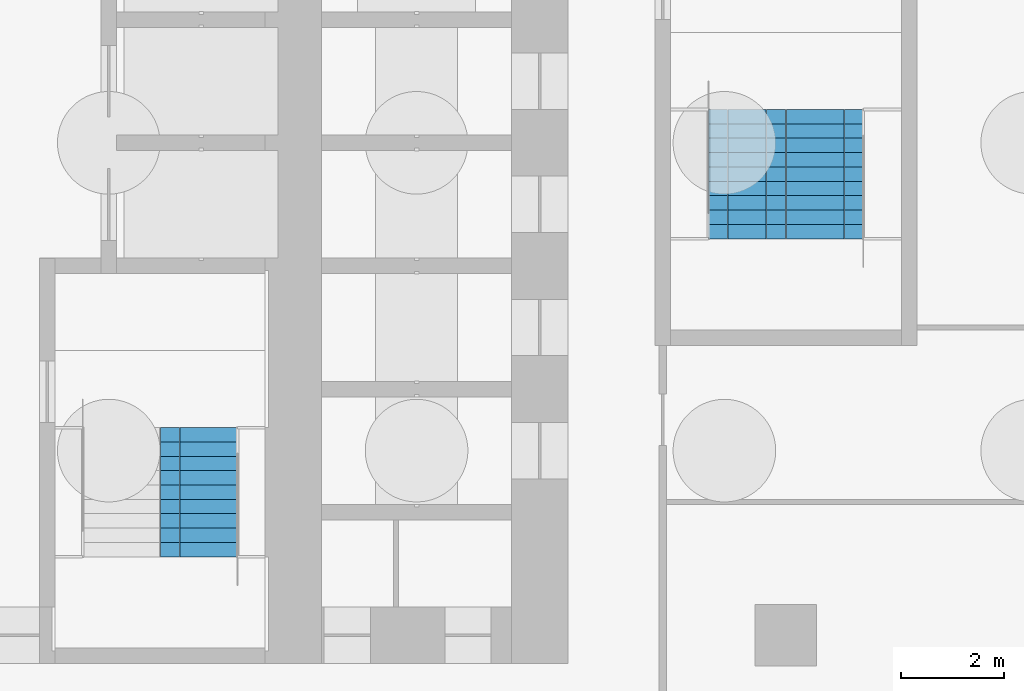
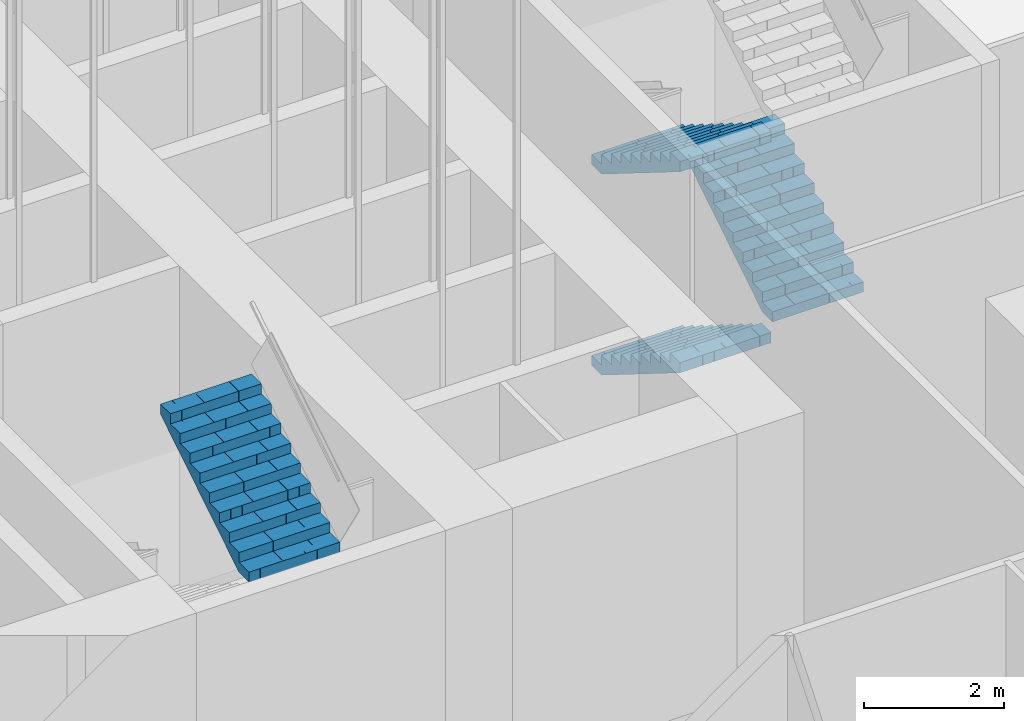
# One storey, part 25 of 68: 4 stair flights, 2 elements without a shape of their own.
"""IFC4 building model written with IfcOpenShell, lengths in metres."""

from ifc_helpers import new_model, si_unit, direction, frame, origin, place, context, subcontext, project, spatial, polyline, outline, extrude, material, type_object, element, aggregate, save


model = new_model("IFC4")

# Units and contexts
model_context = context("Model", 3, precision=1e-05, world=origin(), true_north=direction((0.0, 1.0)))
body_context = subcontext(model_context, "Body", "Model", "MODEL_VIEW")
ifc_project = project(units=[si_unit("LENGTHUNIT", "METRE"), si_unit("AREAUNIT", "SQUARE_METRE"), si_unit("VOLUMEUNIT", "CUBIC_METRE"), si_unit("PLANEANGLEUNIT", "RADIAN"), si_unit("MASSUNIT", "GRAM", prefix="KILO")], contexts=[model_context])

# Site, building, storey
site_placement = place(None, origin())
site = spatial("IfcSite", under=ifc_project, at=site_placement, CompositionType="ELEMENT")
building_placement = place(site_placement, origin())
building = spatial("IfcBuilding", under=site, at=building_placement, Name="Kolab Exchange Tower", CompositionType="ELEMENT")
storey_placement = place(building_placement, origin())
storey = spatial("IfcBuildingStorey", under=building, at=storey_placement, Name="L00", CompositionType="ELEMENT", Elevation=0.0)

# Stair, stair flight
ifc_material = material(Name="Concrete C50/60", Category="concrete")
stair_type_1 = type_object("IfcStairType", Name="STAIR ST2 RISER 175", PredefinedType="DOUBLE_RETURN_STAIR", material=ifc_material)
stair_1_placement = place(storey_placement, origin())
stair_1 = element("IfcStair", 1, at=stair_1_placement, inside=storey, type_object=stair_type_1, Name="Stair 2", PredefinedType="DOUBLE_RETURN_STAIR")
stair_flight_type = type_object("IfcStairFlightType", Name="STAIR FLIGHT 1500 RISER 175", PredefinedType="STRAIGHT", material=ifc_material)
stair_flight_1_placement = place(storey_placement, frame((7.760009765625, -8.070068359375, 5.25), z_axis=(0.0, 0.0, 1.0), x_axis=(0.0, 1.0, 0.0)))
stair_flight_1 = element("IfcStairFlight", 2, at=stair_flight_1_placement, type_object=stair_flight_type, Name="ST2 flight 4", NumberOfRisers=10, NumberOfTreads=9, PredefinedType="STRAIGHT", RiserHeight=0.175, TreadLength=0.28, context=body_context, shape_type="SweptSolid", body=[
    extrude(outline(polyline([(0.0, 0.0), (0.0, 0.175048828125), (0.280029296875, 0.175048828125), (0.280029296875, 0.35009765625), (0.56005859375, 0.35009765625), (0.56005859375, 0.52490234375), (0.840087890625, 0.52490234375), (0.840087890625, 0.699951171875), (1.1201171875, 0.699951171875), (1.1201171875, 0.875), (1.39990234375, 0.875), (1.39990234375, 1.050048828125), (1.679931640625, 1.050048828125), (1.679931640625, 1.22509765625), (1.9599609375, 1.22509765625), (1.9599609375, 1.39990234375), (2.239990234375, 1.39990234375), (2.239990234375, 1.574951171875), (2.52001953125, 1.574951171875), (2.52001953125, 1.75), (2.52001953125, 1.398193359375), (0.28271484375, 0.0), (0.0, 0.0)])), frame((0.0, 0.75, 0.0), z_axis=(0.0, -1.0, 0.0), x_axis=(1.0, 0.0, 0.0)), (0.0, 0.0, 1.0), 0.185791015625),
    extrude(outline(polyline([(0.0, 0.0), (0.0, 0.175048828125), (0.280029296875, 0.175048828125), (0.280029296875, 0.35009765625), (0.56005859375, 0.35009765625), (0.56005859375, 0.52490234375), (0.840087890625, 0.52490234375), (0.840087890625, 0.699951171875), (1.1201171875, 0.699951171875), (1.1201171875, 0.875), (1.39990234375, 0.875), (1.39990234375, 1.050048828125), (1.679931640625, 1.050048828125), (1.679931640625, 1.22509765625), (1.9599609375, 1.22509765625), (1.9599609375, 1.39990234375), (2.239990234375, 1.39990234375), (2.239990234375, 1.574951171875), (2.52001953125, 1.574951171875), (2.52001953125, 1.75), (2.52001953125, 1.398193359375), (0.28271484375, 0.0), (0.0, 0.0)])), frame((0.0, 0.562255859375, 0.0), z_axis=(0.0, -1.0, 0.0), x_axis=(1.0, 0.0, 0.0)), (0.0, 0.0, 1.0), 0.185791015625),
    extrude(outline(polyline([(0.0, 0.0), (0.0, 0.175048828125), (0.280029296875, 0.175048828125), (0.280029296875, 0.35009765625), (0.56005859375, 0.35009765625), (0.56005859375, 0.52490234375), (0.840087890625, 0.52490234375), (0.840087890625, 0.699951171875), (1.1201171875, 0.699951171875), (1.1201171875, 0.875), (1.39990234375, 0.875), (1.39990234375, 1.050048828125), (1.679931640625, 1.050048828125), (1.679931640625, 1.22509765625), (1.9599609375, 1.22509765625), (1.9599609375, 1.39990234375), (2.239990234375, 1.39990234375), (2.239990234375, 1.574951171875), (2.52001953125, 1.574951171875), (2.52001953125, 1.75), (2.52001953125, 1.398193359375), (0.28271484375, 0.0), (0.0, 0.0)])), frame((0.0, 0.37451171875, 0.0), z_axis=(0.0, -1.0, 0.0), x_axis=(1.0, 0.0, 0.0)), (0.0, 0.0, 1.0), 0.185791015625),
    extrude(outline(polyline([(0.0, 0.0), (0.0, 0.175048828125), (0.280029296875, 0.175048828125), (0.280029296875, 0.35009765625), (0.56005859375, 0.35009765625), (0.56005859375, 0.52490234375), (0.840087890625, 0.52490234375), (0.840087890625, 0.699951171875), (1.1201171875, 0.699951171875), (1.1201171875, 0.875), (1.39990234375, 0.875), (1.39990234375, 1.050048828125), (1.679931640625, 1.050048828125), (1.679931640625, 1.22509765625), (1.9599609375, 1.22509765625), (1.9599609375, 1.39990234375), (2.239990234375, 1.39990234375), (2.239990234375, 1.574951171875), (2.52001953125, 1.574951171875), (2.52001953125, 1.75), (2.52001953125, 1.398193359375), (0.28271484375, 0.0), (0.0, 0.0)])), frame((0.0, 0.186767578125, 0.0), z_axis=(0.0, -1.0, 0.0), x_axis=(1.0, 0.0, 0.0)), (0.0, 0.0, 1.0), 0.185791015625),
    extrude(outline(polyline([(0.0, 0.0), (0.0, 0.175048828125), (0.280029296875, 0.175048828125), (0.280029296875, 0.35009765625), (0.56005859375, 0.35009765625), (0.56005859375, 0.52490234375), (0.840087890625, 0.52490234375), (0.840087890625, 0.699951171875), (1.1201171875, 0.699951171875), (1.1201171875, 0.875), (1.39990234375, 0.875), (1.39990234375, 1.050048828125), (1.679931640625, 1.050048828125), (1.679931640625, 1.22509765625), (1.9599609375, 1.22509765625), (1.9599609375, 1.39990234375), (2.239990234375, 1.39990234375), (2.239990234375, 1.574951171875), (2.52001953125, 1.574951171875), (2.52001953125, 1.75), (2.52001953125, 1.398193359375), (0.28271484375, 0.0), (0.0, 0.0)])), frame((0.0, -0.0009765625, 0.0), z_axis=(0.0, -1.0, 0.0), x_axis=(1.0, 0.0, 0.0)), (0.0, 0.0, 1.0), 0.185791015625),
    extrude(outline(polyline([(0.0, 0.0), (0.0, 0.175048828125), (0.280029296875, 0.175048828125), (0.280029296875, 0.35009765625), (0.56005859375, 0.35009765625), (0.56005859375, 0.52490234375), (0.840087890625, 0.52490234375), (0.840087890625, 0.699951171875), (1.1201171875, 0.699951171875), (1.1201171875, 0.875), (1.39990234375, 0.875), (1.39990234375, 1.050048828125), (1.679931640625, 1.050048828125), (1.679931640625, 1.22509765625), (1.9599609375, 1.22509765625), (1.9599609375, 1.39990234375), (2.239990234375, 1.39990234375), (2.239990234375, 1.574951171875), (2.52001953125, 1.574951171875), (2.52001953125, 1.75), (2.52001953125, 1.398193359375), (0.28271484375, 0.0), (0.0, 0.0)])), frame((0.0, -0.188720703125, 0.0), z_axis=(0.0, -1.0, 0.0), x_axis=(1.0, 0.0, 0.0)), (0.0, 0.0, 1.0), 0.185791015625),
    extrude(outline(polyline([(0.0, 0.0), (0.0, 0.175048828125), (0.280029296875, 0.175048828125), (0.280029296875, 0.35009765625), (0.56005859375, 0.35009765625), (0.56005859375, 0.52490234375), (0.840087890625, 0.52490234375), (0.840087890625, 0.699951171875), (1.1201171875, 0.699951171875), (1.1201171875, 0.875), (1.39990234375, 0.875), (1.39990234375, 1.050048828125), (1.679931640625, 1.050048828125), (1.679931640625, 1.22509765625), (1.9599609375, 1.22509765625), (1.9599609375, 1.39990234375), (2.239990234375, 1.39990234375), (2.239990234375, 1.574951171875), (2.52001953125, 1.574951171875), (2.52001953125, 1.75), (2.52001953125, 1.398193359375), (0.28271484375, 0.0), (0.0, 0.0)])), frame((0.0, -0.37646484375, 0.0), z_axis=(0.0, -1.0, 0.0), x_axis=(1.0, 0.0, 0.0)), (0.0, 0.0, 1.0), 0.185791015625),
    extrude(outline(polyline([(0.0, 0.0), (0.0, 0.175048828125), (0.280029296875, 0.175048828125), (0.280029296875, 0.35009765625), (0.56005859375, 0.35009765625), (0.56005859375, 0.52490234375), (0.840087890625, 0.52490234375), (0.840087890625, 0.699951171875), (1.1201171875, 0.699951171875), (1.1201171875, 0.875), (1.39990234375, 0.875), (1.39990234375, 1.050048828125), (1.679931640625, 1.050048828125), (1.679931640625, 1.22509765625), (1.9599609375, 1.22509765625), (1.9599609375, 1.39990234375), (2.239990234375, 1.39990234375), (2.239990234375, 1.574951171875), (2.52001953125, 1.574951171875), (2.52001953125, 1.75), (2.52001953125, 1.398193359375), (0.28271484375, 0.0), (0.0, 0.0)])), frame((0.0, -0.564208984375, 0.0), z_axis=(0.0, -1.0, 0.0), x_axis=(1.0, 0.0, 0.0)), (0.0, 0.0, 1.0), 0.185791015625),
])
aggregate(stair_1, [stair_flight_1])

# Stair, stair flights
stair_type_2 = type_object("IfcStairType", Name="STAIR ST4 RISER 175", PredefinedType="DOUBLE_RETURN_STAIR", material=ifc_material)
stair_2_placement = place(storey_placement, origin())
stair_2 = element("IfcStair", 3, at=stair_2_placement, inside=storey, type_object=stair_type_2, Name="Stair 4", PredefinedType="DOUBLE_RETURN_STAIR")
stair_flight_2_placement = place(storey_placement, frame((18.43994140625, 0.64990234375, 0.0), z_axis=(0.0, 0.0, 1.0), x_axis=(0.0, -1.0, 0.0)))
stair_flight_2 = element("IfcStairFlight", 4, at=stair_flight_2_placement, type_object=stair_flight_type, Name="ST4 flight 1", NumberOfRisers=10, NumberOfTreads=9, PredefinedType="STRAIGHT", RiserHeight=0.175, TreadLength=0.28, context=body_context, shape_type="SweptSolid", body=[
    extrude(outline(polyline([(0.0, 0.0), (0.0, 0.175048828125), (0.280029296875, 0.175048828125), (0.280029296875, 0.35009765625), (0.56005859375, 0.35009765625), (0.56005859375, 0.52490234375), (0.840087890625, 0.52490234375), (0.840087890625, 0.699951171875), (1.1201171875, 0.699951171875), (1.1201171875, 0.875), (1.39990234375, 0.875), (1.39990234375, 1.050048828125), (1.679931640625, 1.050048828125), (1.679931640625, 1.22509765625), (1.9599609375, 1.22509765625), (1.9599609375, 1.39990234375), (2.239990234375, 1.39990234375), (2.239990234375, 1.574951171875), (2.52001953125, 1.574951171875), (2.52001953125, 1.75), (2.52001953125, 1.398193359375), (0.28271484375, 0.0), (0.0, 0.0)])), frame((0.0, 0.75, 0.0), z_axis=(0.0, -1.0, 0.0), x_axis=(1.0, 0.0, 0.0)), (0.0, 0.0, 1.0), 0.185791015625),
    extrude(outline(polyline([(0.0, 0.0), (0.0, 0.175048828125), (0.280029296875, 0.175048828125), (0.280029296875, 0.35009765625), (0.56005859375, 0.35009765625), (0.56005859375, 0.52490234375), (0.840087890625, 0.52490234375), (0.840087890625, 0.699951171875), (1.1201171875, 0.699951171875), (1.1201171875, 0.875), (1.39990234375, 0.875), (1.39990234375, 1.050048828125), (1.679931640625, 1.050048828125), (1.679931640625, 1.22509765625), (1.9599609375, 1.22509765625), (1.9599609375, 1.39990234375), (2.239990234375, 1.39990234375), (2.239990234375, 1.574951171875), (2.52001953125, 1.574951171875), (2.52001953125, 1.75), (2.52001953125, 1.398193359375), (0.28271484375, 0.0), (0.0, 0.0)])), frame((0.0, 0.562255859375, 0.0), z_axis=(0.0, -1.0, 0.0), x_axis=(1.0, 0.0, 0.0)), (0.0, 0.0, 1.0), 0.185791015625),
    extrude(outline(polyline([(0.0, 0.0), (0.0, 0.175048828125), (0.280029296875, 0.175048828125), (0.280029296875, 0.35009765625), (0.56005859375, 0.35009765625), (0.56005859375, 0.52490234375), (0.840087890625, 0.52490234375), (0.840087890625, 0.699951171875), (1.1201171875, 0.699951171875), (1.1201171875, 0.875), (1.39990234375, 0.875), (1.39990234375, 1.050048828125), (1.679931640625, 1.050048828125), (1.679931640625, 1.22509765625), (1.9599609375, 1.22509765625), (1.9599609375, 1.39990234375), (2.239990234375, 1.39990234375), (2.239990234375, 1.574951171875), (2.52001953125, 1.574951171875), (2.52001953125, 1.75), (2.52001953125, 1.398193359375), (0.28271484375, 0.0), (0.0, 0.0)])), frame((0.0, 0.37451171875, 0.0), z_axis=(0.0, -1.0, 0.0), x_axis=(1.0, 0.0, 0.0)), (0.0, 0.0, 1.0), 0.185791015625),
    extrude(outline(polyline([(0.0, 0.0), (0.0, 0.175048828125), (0.280029296875, 0.175048828125), (0.280029296875, 0.35009765625), (0.56005859375, 0.35009765625), (0.56005859375, 0.52490234375), (0.840087890625, 0.52490234375), (0.840087890625, 0.699951171875), (1.1201171875, 0.699951171875), (1.1201171875, 0.875), (1.39990234375, 0.875), (1.39990234375, 1.050048828125), (1.679931640625, 1.050048828125), (1.679931640625, 1.22509765625), (1.9599609375, 1.22509765625), (1.9599609375, 1.39990234375), (2.239990234375, 1.39990234375), (2.239990234375, 1.574951171875), (2.52001953125, 1.574951171875), (2.52001953125, 1.75), (2.52001953125, 1.398193359375), (0.28271484375, 0.0), (0.0, 0.0)])), frame((0.0, 0.186767578125, 0.0), z_axis=(0.0, -1.0, 0.0), x_axis=(1.0, 0.0, 0.0)), (0.0, 0.0, 1.0), 0.185791015625),
    extrude(outline(polyline([(0.0, 0.0), (0.0, 0.175048828125), (0.280029296875, 0.175048828125), (0.280029296875, 0.35009765625), (0.56005859375, 0.35009765625), (0.56005859375, 0.52490234375), (0.840087890625, 0.52490234375), (0.840087890625, 0.699951171875), (1.1201171875, 0.699951171875), (1.1201171875, 0.875), (1.39990234375, 0.875), (1.39990234375, 1.050048828125), (1.679931640625, 1.050048828125), (1.679931640625, 1.22509765625), (1.9599609375, 1.22509765625), (1.9599609375, 1.39990234375), (2.239990234375, 1.39990234375), (2.239990234375, 1.574951171875), (2.52001953125, 1.574951171875), (2.52001953125, 1.75), (2.52001953125, 1.398193359375), (0.28271484375, 0.0), (0.0, 0.0)])), frame((0.0, -0.0009765625, 0.0), z_axis=(0.0, -1.0, 0.0), x_axis=(1.0, 0.0, 0.0)), (0.0, 0.0, 1.0), 0.185791015625),
    extrude(outline(polyline([(0.0, 0.0), (0.0, 0.175048828125), (0.280029296875, 0.175048828125), (0.280029296875, 0.35009765625), (0.56005859375, 0.35009765625), (0.56005859375, 0.52490234375), (0.840087890625, 0.52490234375), (0.840087890625, 0.699951171875), (1.1201171875, 0.699951171875), (1.1201171875, 0.875), (1.39990234375, 0.875), (1.39990234375, 1.050048828125), (1.679931640625, 1.050048828125), (1.679931640625, 1.22509765625), (1.9599609375, 1.22509765625), (1.9599609375, 1.39990234375), (2.239990234375, 1.39990234375), (2.239990234375, 1.574951171875), (2.52001953125, 1.574951171875), (2.52001953125, 1.75), (2.52001953125, 1.398193359375), (0.28271484375, 0.0), (0.0, 0.0)])), frame((0.0, -0.188720703125, 0.0), z_axis=(0.0, -1.0, 0.0), x_axis=(1.0, 0.0, 0.0)), (0.0, 0.0, 1.0), 0.185791015625),
    extrude(outline(polyline([(0.0, 0.0), (0.0, 0.175048828125), (0.280029296875, 0.175048828125), (0.280029296875, 0.35009765625), (0.56005859375, 0.35009765625), (0.56005859375, 0.52490234375), (0.840087890625, 0.52490234375), (0.840087890625, 0.699951171875), (1.1201171875, 0.699951171875), (1.1201171875, 0.875), (1.39990234375, 0.875), (1.39990234375, 1.050048828125), (1.679931640625, 1.050048828125), (1.679931640625, 1.22509765625), (1.9599609375, 1.22509765625), (1.9599609375, 1.39990234375), (2.239990234375, 1.39990234375), (2.239990234375, 1.574951171875), (2.52001953125, 1.574951171875), (2.52001953125, 1.75), (2.52001953125, 1.398193359375), (0.28271484375, 0.0), (0.0, 0.0)])), frame((0.0, -0.37646484375, 0.0), z_axis=(0.0, -1.0, 0.0), x_axis=(1.0, 0.0, 0.0)), (0.0, 0.0, 1.0), 0.185791015625),
    extrude(outline(polyline([(0.0, 0.0), (0.0, 0.175048828125), (0.280029296875, 0.175048828125), (0.280029296875, 0.35009765625), (0.56005859375, 0.35009765625), (0.56005859375, 0.52490234375), (0.840087890625, 0.52490234375), (0.840087890625, 0.699951171875), (1.1201171875, 0.699951171875), (1.1201171875, 0.875), (1.39990234375, 0.875), (1.39990234375, 1.050048828125), (1.679931640625, 1.050048828125), (1.679931640625, 1.22509765625), (1.9599609375, 1.22509765625), (1.9599609375, 1.39990234375), (2.239990234375, 1.39990234375), (2.239990234375, 1.574951171875), (2.52001953125, 1.574951171875), (2.52001953125, 1.75), (2.52001953125, 1.398193359375), (0.28271484375, 0.0), (0.0, 0.0)])), frame((0.0, -0.564208984375, 0.0), z_axis=(0.0, -1.0, 0.0), x_axis=(1.0, 0.0, 0.0)), (0.0, 0.0, 1.0), 0.185791015625),
])
stair_flight_3_placement = place(storey_placement, frame((19.9599609375, -1.8701171875, 1.75), z_axis=(0.0, 0.0, 1.0), x_axis=(0.0, 1.0, 0.0)))
stair_flight_3 = element("IfcStairFlight", 5, at=stair_flight_3_placement, type_object=stair_flight_type, Name="ST4 flight 2", NumberOfRisers=10, NumberOfTreads=9, PredefinedType="STRAIGHT", RiserHeight=0.175, TreadLength=0.28, context=body_context, shape_type="SweptSolid", body=[
    extrude(outline(polyline([(0.0, 0.0), (0.0, 0.175048828125), (0.280029296875, 0.175048828125), (0.280029296875, 0.35009765625), (0.56005859375, 0.35009765625), (0.56005859375, 0.52490234375), (0.840087890625, 0.52490234375), (0.840087890625, 0.699951171875), (1.1201171875, 0.699951171875), (1.1201171875, 0.875), (1.39990234375, 0.875), (1.39990234375, 1.050048828125), (1.679931640625, 1.050048828125), (1.679931640625, 1.22509765625), (1.9599609375, 1.22509765625), (1.9599609375, 1.39990234375), (2.239990234375, 1.39990234375), (2.239990234375, 1.574951171875), (2.52001953125, 1.574951171875), (2.52001953125, 1.75), (2.52001953125, 1.398193359375), (0.28271484375, 0.0), (0.0, 0.0)])), frame((0.0, 0.75, 0.0), z_axis=(0.0, -1.0, 0.0), x_axis=(1.0, 0.0, 0.0)), (0.0, 0.0, 1.0), 0.185791015625),
    extrude(outline(polyline([(0.0, 0.0), (0.0, 0.175048828125), (0.280029296875, 0.175048828125), (0.280029296875, 0.35009765625), (0.56005859375, 0.35009765625), (0.56005859375, 0.52490234375), (0.840087890625, 0.52490234375), (0.840087890625, 0.699951171875), (1.1201171875, 0.699951171875), (1.1201171875, 0.875), (1.39990234375, 0.875), (1.39990234375, 1.050048828125), (1.679931640625, 1.050048828125), (1.679931640625, 1.22509765625), (1.9599609375, 1.22509765625), (1.9599609375, 1.39990234375), (2.239990234375, 1.39990234375), (2.239990234375, 1.574951171875), (2.52001953125, 1.574951171875), (2.52001953125, 1.75), (2.52001953125, 1.398193359375), (0.28271484375, 0.0), (0.0, 0.0)])), frame((0.0, 0.562255859375, 0.0), z_axis=(0.0, -1.0, 0.0), x_axis=(1.0, 0.0, 0.0)), (0.0, 0.0, 1.0), 0.185791015625),
    extrude(outline(polyline([(0.0, 0.0), (0.0, 0.175048828125), (0.280029296875, 0.175048828125), (0.280029296875, 0.35009765625), (0.56005859375, 0.35009765625), (0.56005859375, 0.52490234375), (0.840087890625, 0.52490234375), (0.840087890625, 0.699951171875), (1.1201171875, 0.699951171875), (1.1201171875, 0.875), (1.39990234375, 0.875), (1.39990234375, 1.050048828125), (1.679931640625, 1.050048828125), (1.679931640625, 1.22509765625), (1.9599609375, 1.22509765625), (1.9599609375, 1.39990234375), (2.239990234375, 1.39990234375), (2.239990234375, 1.574951171875), (2.52001953125, 1.574951171875), (2.52001953125, 1.75), (2.52001953125, 1.398193359375), (0.28271484375, 0.0), (0.0, 0.0)])), frame((0.0, 0.37451171875, 0.0), z_axis=(0.0, -1.0, 0.0), x_axis=(1.0, 0.0, 0.0)), (0.0, 0.0, 1.0), 0.185791015625),
    extrude(outline(polyline([(0.0, 0.0), (0.0, 0.175048828125), (0.280029296875, 0.175048828125), (0.280029296875, 0.35009765625), (0.56005859375, 0.35009765625), (0.56005859375, 0.52490234375), (0.840087890625, 0.52490234375), (0.840087890625, 0.699951171875), (1.1201171875, 0.699951171875), (1.1201171875, 0.875), (1.39990234375, 0.875), (1.39990234375, 1.050048828125), (1.679931640625, 1.050048828125), (1.679931640625, 1.22509765625), (1.9599609375, 1.22509765625), (1.9599609375, 1.39990234375), (2.239990234375, 1.39990234375), (2.239990234375, 1.574951171875), (2.52001953125, 1.574951171875), (2.52001953125, 1.75), (2.52001953125, 1.398193359375), (0.28271484375, 0.0), (0.0, 0.0)])), frame((0.0, 0.186767578125, 0.0), z_axis=(0.0, -1.0, 0.0), x_axis=(1.0, 0.0, 0.0)), (0.0, 0.0, 1.0), 0.185791015625),
    extrude(outline(polyline([(0.0, 0.0), (0.0, 0.175048828125), (0.280029296875, 0.175048828125), (0.280029296875, 0.35009765625), (0.56005859375, 0.35009765625), (0.56005859375, 0.52490234375), (0.840087890625, 0.52490234375), (0.840087890625, 0.699951171875), (1.1201171875, 0.699951171875), (1.1201171875, 0.875), (1.39990234375, 0.875), (1.39990234375, 1.050048828125), (1.679931640625, 1.050048828125), (1.679931640625, 1.22509765625), (1.9599609375, 1.22509765625), (1.9599609375, 1.39990234375), (2.239990234375, 1.39990234375), (2.239990234375, 1.574951171875), (2.52001953125, 1.574951171875), (2.52001953125, 1.75), (2.52001953125, 1.398193359375), (0.28271484375, 0.0), (0.0, 0.0)])), frame((0.0, -0.0009765625, 0.0), z_axis=(0.0, -1.0, 0.0), x_axis=(1.0, 0.0, 0.0)), (0.0, 0.0, 1.0), 0.185791015625),
    extrude(outline(polyline([(0.0, 0.0), (0.0, 0.175048828125), (0.280029296875, 0.175048828125), (0.280029296875, 0.35009765625), (0.56005859375, 0.35009765625), (0.56005859375, 0.52490234375), (0.840087890625, 0.52490234375), (0.840087890625, 0.699951171875), (1.1201171875, 0.699951171875), (1.1201171875, 0.875), (1.39990234375, 0.875), (1.39990234375, 1.050048828125), (1.679931640625, 1.050048828125), (1.679931640625, 1.22509765625), (1.9599609375, 1.22509765625), (1.9599609375, 1.39990234375), (2.239990234375, 1.39990234375), (2.239990234375, 1.574951171875), (2.52001953125, 1.574951171875), (2.52001953125, 1.75), (2.52001953125, 1.398193359375), (0.28271484375, 0.0), (0.0, 0.0)])), frame((0.0, -0.188720703125, 0.0), z_axis=(0.0, -1.0, 0.0), x_axis=(1.0, 0.0, 0.0)), (0.0, 0.0, 1.0), 0.185791015625),
    extrude(outline(polyline([(0.0, 0.0), (0.0, 0.175048828125), (0.280029296875, 0.175048828125), (0.280029296875, 0.35009765625), (0.56005859375, 0.35009765625), (0.56005859375, 0.52490234375), (0.840087890625, 0.52490234375), (0.840087890625, 0.699951171875), (1.1201171875, 0.699951171875), (1.1201171875, 0.875), (1.39990234375, 0.875), (1.39990234375, 1.050048828125), (1.679931640625, 1.050048828125), (1.679931640625, 1.22509765625), (1.9599609375, 1.22509765625), (1.9599609375, 1.39990234375), (2.239990234375, 1.39990234375), (2.239990234375, 1.574951171875), (2.52001953125, 1.574951171875), (2.52001953125, 1.75), (2.52001953125, 1.398193359375), (0.28271484375, 0.0), (0.0, 0.0)])), frame((0.0, -0.37646484375, 0.0), z_axis=(0.0, -1.0, 0.0), x_axis=(1.0, 0.0, 0.0)), (0.0, 0.0, 1.0), 0.185791015625),
    extrude(outline(polyline([(0.0, 0.0), (0.0, 0.175048828125), (0.280029296875, 0.175048828125), (0.280029296875, 0.35009765625), (0.56005859375, 0.35009765625), (0.56005859375, 0.52490234375), (0.840087890625, 0.52490234375), (0.840087890625, 0.699951171875), (1.1201171875, 0.699951171875), (1.1201171875, 0.875), (1.39990234375, 0.875), (1.39990234375, 1.050048828125), (1.679931640625, 1.050048828125), (1.679931640625, 1.22509765625), (1.9599609375, 1.22509765625), (1.9599609375, 1.39990234375), (2.239990234375, 1.39990234375), (2.239990234375, 1.574951171875), (2.52001953125, 1.574951171875), (2.52001953125, 1.75), (2.52001953125, 1.398193359375), (0.28271484375, 0.0), (0.0, 0.0)])), frame((0.0, -0.564208984375, 0.0), z_axis=(0.0, -1.0, 0.0), x_axis=(1.0, 0.0, 0.0)), (0.0, 0.0, 1.0), 0.185791015625),
])
stair_flight_4_placement = place(storey_placement, frame((18.43994140625, 0.64990234375, 3.5), z_axis=(0.0, 0.0, 1.0), x_axis=(0.0, -1.0, 0.0)))
stair_flight_4 = element("IfcStairFlight", 6, at=stair_flight_4_placement, type_object=stair_flight_type, Name="ST4 flight 3", NumberOfRisers=10, NumberOfTreads=9, PredefinedType="STRAIGHT", RiserHeight=0.175, TreadLength=0.28, context=body_context, shape_type="SweptSolid", body=[
    extrude(outline(polyline([(0.0, 0.0), (0.0, 0.175048828125), (0.280029296875, 0.175048828125), (0.280029296875, 0.35009765625), (0.56005859375, 0.35009765625), (0.56005859375, 0.52490234375), (0.840087890625, 0.52490234375), (0.840087890625, 0.699951171875), (1.1201171875, 0.699951171875), (1.1201171875, 0.875), (1.39990234375, 0.875), (1.39990234375, 1.050048828125), (1.679931640625, 1.050048828125), (1.679931640625, 1.22509765625), (1.9599609375, 1.22509765625), (1.9599609375, 1.39990234375), (2.239990234375, 1.39990234375), (2.239990234375, 1.574951171875), (2.52001953125, 1.574951171875), (2.52001953125, 1.75), (2.52001953125, 1.398193359375), (0.28271484375, 0.0), (0.0, 0.0)])), frame((0.0, 0.75, 0.0), z_axis=(0.0, -1.0, 0.0), x_axis=(1.0, 0.0, 0.0)), (0.0, 0.0, 1.0), 0.185791015625),
    extrude(outline(polyline([(0.0, 0.0), (0.0, 0.175048828125), (0.280029296875, 0.175048828125), (0.280029296875, 0.35009765625), (0.56005859375, 0.35009765625), (0.56005859375, 0.52490234375), (0.840087890625, 0.52490234375), (0.840087890625, 0.699951171875), (1.1201171875, 0.699951171875), (1.1201171875, 0.875), (1.39990234375, 0.875), (1.39990234375, 1.050048828125), (1.679931640625, 1.050048828125), (1.679931640625, 1.22509765625), (1.9599609375, 1.22509765625), (1.9599609375, 1.39990234375), (2.239990234375, 1.39990234375), (2.239990234375, 1.574951171875), (2.52001953125, 1.574951171875), (2.52001953125, 1.75), (2.52001953125, 1.398193359375), (0.28271484375, 0.0), (0.0, 0.0)])), frame((0.0, 0.562255859375, 0.0), z_axis=(0.0, -1.0, 0.0), x_axis=(1.0, 0.0, 0.0)), (0.0, 0.0, 1.0), 0.185791015625),
    extrude(outline(polyline([(0.0, 0.0), (0.0, 0.175048828125), (0.280029296875, 0.175048828125), (0.280029296875, 0.35009765625), (0.56005859375, 0.35009765625), (0.56005859375, 0.52490234375), (0.840087890625, 0.52490234375), (0.840087890625, 0.699951171875), (1.1201171875, 0.699951171875), (1.1201171875, 0.875), (1.39990234375, 0.875), (1.39990234375, 1.050048828125), (1.679931640625, 1.050048828125), (1.679931640625, 1.22509765625), (1.9599609375, 1.22509765625), (1.9599609375, 1.39990234375), (2.239990234375, 1.39990234375), (2.239990234375, 1.574951171875), (2.52001953125, 1.574951171875), (2.52001953125, 1.75), (2.52001953125, 1.398193359375), (0.28271484375, 0.0), (0.0, 0.0)])), frame((0.0, 0.37451171875, 0.0), z_axis=(0.0, -1.0, 0.0), x_axis=(1.0, 0.0, 0.0)), (0.0, 0.0, 1.0), 0.185791015625),
    extrude(outline(polyline([(0.0, 0.0), (0.0, 0.175048828125), (0.280029296875, 0.175048828125), (0.280029296875, 0.35009765625), (0.56005859375, 0.35009765625), (0.56005859375, 0.52490234375), (0.840087890625, 0.52490234375), (0.840087890625, 0.699951171875), (1.1201171875, 0.699951171875), (1.1201171875, 0.875), (1.39990234375, 0.875), (1.39990234375, 1.050048828125), (1.679931640625, 1.050048828125), (1.679931640625, 1.22509765625), (1.9599609375, 1.22509765625), (1.9599609375, 1.39990234375), (2.239990234375, 1.39990234375), (2.239990234375, 1.574951171875), (2.52001953125, 1.574951171875), (2.52001953125, 1.75), (2.52001953125, 1.398193359375), (0.28271484375, 0.0), (0.0, 0.0)])), frame((0.0, 0.186767578125, 0.0), z_axis=(0.0, -1.0, 0.0), x_axis=(1.0, 0.0, 0.0)), (0.0, 0.0, 1.0), 0.185791015625),
    extrude(outline(polyline([(0.0, 0.0), (0.0, 0.175048828125), (0.280029296875, 0.175048828125), (0.280029296875, 0.35009765625), (0.56005859375, 0.35009765625), (0.56005859375, 0.52490234375), (0.840087890625, 0.52490234375), (0.840087890625, 0.699951171875), (1.1201171875, 0.699951171875), (1.1201171875, 0.875), (1.39990234375, 0.875), (1.39990234375, 1.050048828125), (1.679931640625, 1.050048828125), (1.679931640625, 1.22509765625), (1.9599609375, 1.22509765625), (1.9599609375, 1.39990234375), (2.239990234375, 1.39990234375), (2.239990234375, 1.574951171875), (2.52001953125, 1.574951171875), (2.52001953125, 1.75), (2.52001953125, 1.398193359375), (0.28271484375, 0.0), (0.0, 0.0)])), frame((0.0, -0.0009765625, 0.0), z_axis=(0.0, -1.0, 0.0), x_axis=(1.0, 0.0, 0.0)), (0.0, 0.0, 1.0), 0.185791015625),
    extrude(outline(polyline([(0.0, 0.0), (0.0, 0.175048828125), (0.280029296875, 0.175048828125), (0.280029296875, 0.35009765625), (0.56005859375, 0.35009765625), (0.56005859375, 0.52490234375), (0.840087890625, 0.52490234375), (0.840087890625, 0.699951171875), (1.1201171875, 0.699951171875), (1.1201171875, 0.875), (1.39990234375, 0.875), (1.39990234375, 1.050048828125), (1.679931640625, 1.050048828125), (1.679931640625, 1.22509765625), (1.9599609375, 1.22509765625), (1.9599609375, 1.39990234375), (2.239990234375, 1.39990234375), (2.239990234375, 1.574951171875), (2.52001953125, 1.574951171875), (2.52001953125, 1.75), (2.52001953125, 1.398193359375), (0.28271484375, 0.0), (0.0, 0.0)])), frame((0.0, -0.188720703125, 0.0), z_axis=(0.0, -1.0, 0.0), x_axis=(1.0, 0.0, 0.0)), (0.0, 0.0, 1.0), 0.185791015625),
    extrude(outline(polyline([(0.0, 0.0), (0.0, 0.175048828125), (0.280029296875, 0.175048828125), (0.280029296875, 0.35009765625), (0.56005859375, 0.35009765625), (0.56005859375, 0.52490234375), (0.840087890625, 0.52490234375), (0.840087890625, 0.699951171875), (1.1201171875, 0.699951171875), (1.1201171875, 0.875), (1.39990234375, 0.875), (1.39990234375, 1.050048828125), (1.679931640625, 1.050048828125), (1.679931640625, 1.22509765625), (1.9599609375, 1.22509765625), (1.9599609375, 1.39990234375), (2.239990234375, 1.39990234375), (2.239990234375, 1.574951171875), (2.52001953125, 1.574951171875), (2.52001953125, 1.75), (2.52001953125, 1.398193359375), (0.28271484375, 0.0), (0.0, 0.0)])), frame((0.0, -0.37646484375, 0.0), z_axis=(0.0, -1.0, 0.0), x_axis=(1.0, 0.0, 0.0)), (0.0, 0.0, 1.0), 0.185791015625),
    extrude(outline(polyline([(0.0, 0.0), (0.0, 0.175048828125), (0.280029296875, 0.175048828125), (0.280029296875, 0.35009765625), (0.56005859375, 0.35009765625), (0.56005859375, 0.52490234375), (0.840087890625, 0.52490234375), (0.840087890625, 0.699951171875), (1.1201171875, 0.699951171875), (1.1201171875, 0.875), (1.39990234375, 0.875), (1.39990234375, 1.050048828125), (1.679931640625, 1.050048828125), (1.679931640625, 1.22509765625), (1.9599609375, 1.22509765625), (1.9599609375, 1.39990234375), (2.239990234375, 1.39990234375), (2.239990234375, 1.574951171875), (2.52001953125, 1.574951171875), (2.52001953125, 1.75), (2.52001953125, 1.398193359375), (0.28271484375, 0.0), (0.0, 0.0)])), frame((0.0, -0.564208984375, 0.0), z_axis=(0.0, -1.0, 0.0), x_axis=(1.0, 0.0, 0.0)), (0.0, 0.0, 1.0), 0.185791015625),
])
aggregate(stair_2, [stair_flight_2, stair_flight_3, stair_flight_4])

save(model, "model.ifc")
